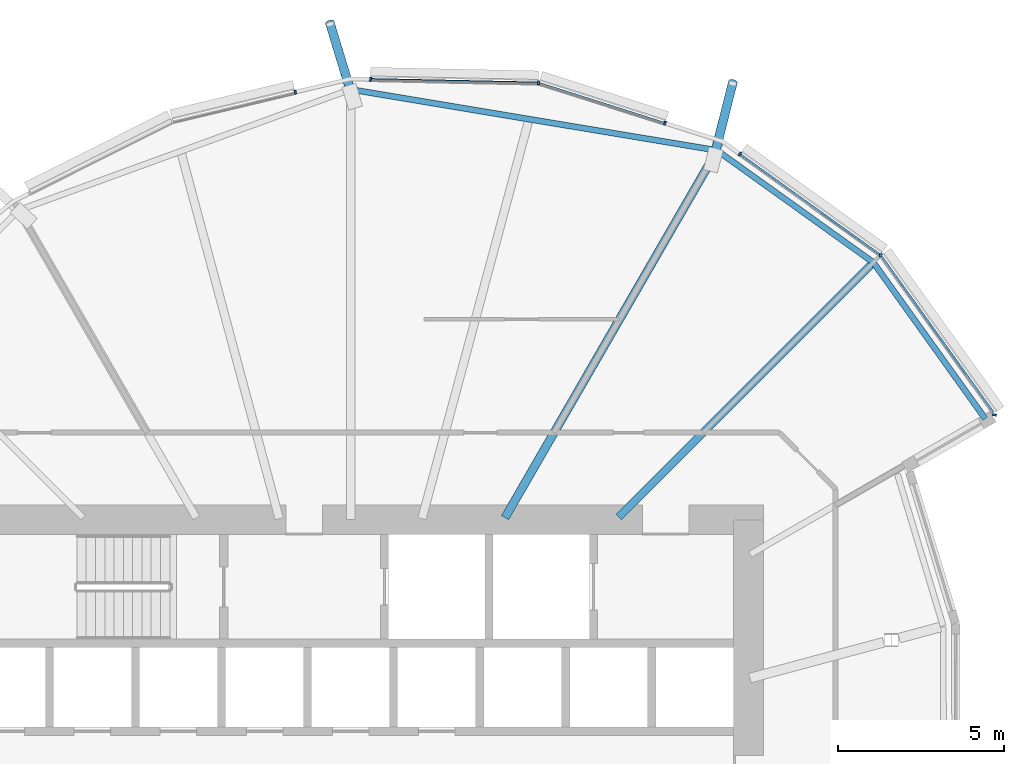
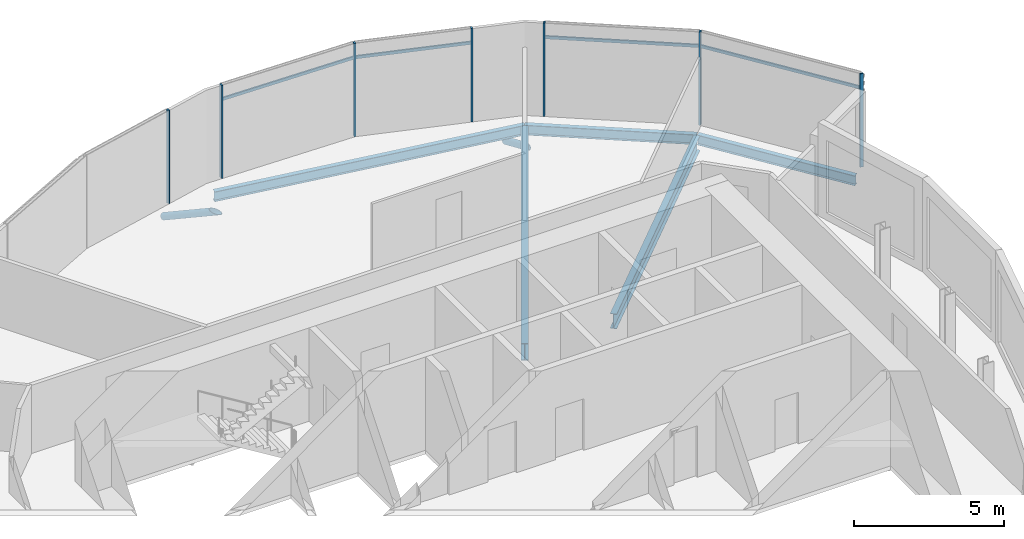
# One storey, part 18 of 37: 13 members, 5 beams, 1 element without a shape of its own.
"""IFC4 building model written with IfcOpenShell, lengths in metres."""

import ifcopenshell
import ifcopenshell.guid

model = None  # the IFC model being written
_history = None  # IfcOwnerHistory: only IFC2X3 demands one
_inside = {}  # id of a spatial element -> (the spatial element, [elements in it])
_under = {}  # id of a project, library or spatial element -> (it, [spatial elements below it])
_declared = {}  # id of a project -> (the project, [libraries it declares])
_typed = {}  # id of a type object -> (the type object, [elements of that type])
_made_of = {}  # id of a material, layer set ... -> (it, [elements and type objects made of it])


def new_model(schema):
    """Start an empty IFC model of exactly this schema.

    Asked for "IFC4X3", IfcOpenShell would pick the latest addendum, in which some entities
    have other attributes; the version numbers below select the first issue.
    IFC2X3 requires an IfcOwnerHistory on every rooted entity: one is made here for all.
    """
    global model, _history
    if schema == "IFC4X3":
        model = ifcopenshell.file(schema_version=(4, 3, 0, 0))
    else:
        model = ifcopenshell.file(schema=schema)
    _inside.clear()
    _under.clear()
    _declared.clear()
    _typed.clear()
    _made_of.clear()
    _history = None
    if model.schema == "IFC2X3":
        org = make("IfcOrganization", Name="unknown")
        user = make(
            "IfcPersonAndOrganization",
            ThePerson=make("IfcPerson", FamilyName="unknown"),
            TheOrganization=org,
        )
        app = make(
            "IfcApplication",
            ApplicationDeveloper=org,
            Version="unknown",
            ApplicationFullName="unknown",
            ApplicationIdentifier="unknown",
        )
        _history = make(
            "IfcOwnerHistory",
            OwningUser=user,
            OwningApplication=app,
            ChangeAction="ADDED",
            CreationDate=0,
        )
    return model


def make(cls, **values):
    """One entity of the class cls with the attributes given. An attribute that is None is left unset."""
    return model.create_entity(
        cls, **{name: value for name, value in values.items() if value is not None}
    )


def rooted(cls, **values):
    """An entity with a GlobalId (a new one), such as an element, a storey or a relation."""
    return make(cls, GlobalId=ifcopenshell.guid.new(), OwnerHistory=_history, **values)


def si_unit(unit_type, name, prefix=None):
    """IfcSIUnit, for example si_unit("LENGTHUNIT", "METRE", prefix="MILLI")."""
    return make("IfcSIUnit", UnitType=unit_type, Prefix=prefix, Name=name)


def assignment(units):
    """IfcUnitAssignment: the units of a project."""
    return None if units is None else make("IfcUnitAssignment", Units=units)


def point(xyz):
    """IfcCartesianPoint."""
    return None if xyz is None else make("IfcCartesianPoint", Coordinates=xyz)


def direction(xyz):
    """IfcDirection."""
    return None if xyz is None else make("IfcDirection", DirectionRatios=xyz)


def frame(location, z_axis=None, x_axis=None):
    """IfcAxis2Placement3D, a coordinate frame: its origin and axes. An axis left out is left unset."""
    return make(
        "IfcAxis2Placement3D",
        Location=point(location),
        Axis=direction(z_axis),
        RefDirection=direction(x_axis),
    )


def frame_2d(location, x_axis=None):
    """IfcAxis2Placement2D, a coordinate frame in the plane: its origin and x axis."""
    return make(
        "IfcAxis2Placement2D", Location=point(location), RefDirection=direction(x_axis)
    )


def origin():
    """The frame at (0, 0, 0) with its axes left unset."""
    return frame((0.0, 0.0, 0.0))


def origin_2d():
    """The frame at (0, 0) in the plane with its x axis left unset."""
    return frame_2d((0.0, 0.0))


def place(relative_to, where):
    """IfcLocalPlacement: puts the frame where relative to a parent placement (None: the world)."""
    return make(
        "IfcLocalPlacement", PlacementRelTo=relative_to, RelativePlacement=where
    )


def context(
    kind, dimensions, precision=None, world=None, true_north=None, identifier=None
):
    """IfcGeometricRepresentationContext, for example the 3D "Model" context."""
    return make(
        "IfcGeometricRepresentationContext",
        ContextIdentifier=identifier,
        ContextType=kind,
        CoordinateSpaceDimension=dimensions,
        Precision=precision,
        WorldCoordinateSystem=world,
        TrueNorth=true_north,
    )


def subcontext(parent, identifier, kind, view, scale=None):
    """IfcGeometricRepresentationSubContext, for example "Body" below "Model"."""
    return make(
        "IfcGeometricRepresentationSubContext",
        ContextIdentifier=identifier,
        ContextType=kind,
        ParentContext=parent,
        TargetScale=scale,
        TargetView=view,
    )


def project(units=None, contexts=None):
    """IfcProject with its units and contexts."""
    return rooted(
        "IfcProject",
        Name="project",
        RepresentationContexts=contexts,
        UnitsInContext=assignment(units),
    )


def spatial(cls, under=None, at=None, **own):
    """A site, building, storey or space (cls), placed at a placement, below another one or the project."""
    s = rooted(cls, ObjectPlacement=at, **own)
    if under is not None:
        _under.setdefault(under.id(), (under, []))[1].append(s)
    return s


def profile(cls, at=None, kind="AREA", **sizes):
    """A parametric profile (cls). Its sizes go by their IFC names, for example OverallWidth=200.0."""
    return make(cls, ProfileType=kind, Position=at, **sizes)


def rectangle(**sizes):
    """IfcRectangleProfileDef."""
    return profile("IfcRectangleProfileDef", **sizes)


def hollow_circle(**sizes):
    """IfcCircleHollowProfileDef."""
    return profile("IfcCircleHollowProfileDef", **sizes)


def i_section(**sizes):
    """IfcIShapeProfileDef."""
    return profile("IfcIShapeProfileDef", **sizes)


def extrude(swept, where, along, depth):
    """IfcExtrudedAreaSolid: the profile swept, set in the frame where, extruded along a direction by depth."""
    return make(
        "IfcExtrudedAreaSolid",
        SweptArea=swept,
        Position=where,
        ExtrudedDirection=direction(along),
        Depth=depth,
    )


def clip(a, b, op="DIFFERENCE"):
    """IfcBooleanClippingResult: the solid a cut by the half space b."""
    return make(
        "IfcBooleanClippingResult", Operator=op, FirstOperand=a, SecondOperand=b
    )


def halfspace(plane, agree):
    """IfcHalfSpaceSolid: all space on one side of the plane z = 0 of the frame plane."""
    return make(
        "IfcHalfSpaceSolid",
        BaseSurface=make("IfcPlane", Position=plane),
        AgreementFlag=agree,
    )


def shape(context_of_items, identifier, shape_type, items):
    """IfcShapeRepresentation: the items that make up one representation, for example the "Body"."""
    return make(
        "IfcShapeRepresentation",
        ContextOfItems=context_of_items,
        RepresentationIdentifier=identifier,
        RepresentationType=shape_type,
        Items=items,
    )


def material(Name=None, Category=None):
    """IfcMaterial."""
    return make("IfcMaterial", Name=Name, Category=Category)


def material_profile(
    of_material, cross_section, Name=None, Category=None, Priority=None
):
    """IfcMaterialProfile: a cross section and its material."""
    return make(
        "IfcMaterialProfile",
        Name=Name,
        Material=of_material,
        Profile=cross_section,
        Priority=Priority,
        Category=Category,
    )


def profile_set(profiles, Name=None, composite=None):
    """IfcMaterialProfileSet."""
    return make(
        "IfcMaterialProfileSet",
        Name=Name,
        MaterialProfiles=profiles,
        CompositeProfile=composite,
    )


def made_of(thing, what):
    """Note that an element or type object is made of a material, layer set ...; save() writes the relation."""
    if what is not None:
        _made_of.setdefault(what.id(), (what, []))[1].append(thing)
    return thing


def type_object(cls, material=None, **own):
    """A type object (cls), such as IfcWallType, which elements share."""
    return made_of(rooted(cls, **own), material)


def element(
    cls,
    number,
    at=None,
    inside=None,
    cuts=None,
    type_object=None,
    material=None,
    context=None,
    identifier="Body",
    shape_type=None,
    held_by="IfcProductDefinitionShape",
    body=None,
    shapes=None,
    **own,
):
    """One element of the class cls, such as IfcWall. Its Tag is "e" and its number.

    at: its placement. inside: the storey or other place that contains it. cuts: it is an
    opening in that element (IfcRelVoidsElement). A single representation is given by context,
    identifier, shape_type and body (its items); several are given by shapes. held_by: the class
    of the entity that holds the representations. save() writes the other relations.
    """
    e = rooted(cls, Tag="e%d" % number, ObjectPlacement=at, **own)
    if body is not None:
        shapes = [shape(context, identifier, shape_type, body)]
    if shapes is not None:
        e.Representation = make(held_by, Representations=shapes)
    if inside is not None:
        _inside.setdefault(inside.id(), (inside, []))[1].append(e)
    if cuts is not None:
        rooted(
            "IfcRelVoidsElement", RelatingBuildingElement=cuts, RelatedOpeningElement=e
        )
    if type_object is not None:
        _typed.setdefault(type_object.id(), (type_object, []))[1].append(e)
    return made_of(e, material)


def aggregate(whole, parts):
    """IfcRelAggregates: a whole, such as a stair, and the parts it consists of."""
    return rooted("IfcRelAggregates", RelatingObject=whole, RelatedObjects=parts)


def save(model, path):
    """Write the relations noted so far, then the file.

    IfcRelAggregates (storeys below a building ...), IfcRelContainedInSpatialStructure (elements
    in a storey), IfcRelDefinesByType, IfcRelAssociatesMaterial and IfcRelDeclares: one each for
    every whole, place, type object, material and project.
    """
    for whole, parts in _under.values():
        aggregate(whole, parts)
    for where, things in _inside.values():
        rooted(
            "IfcRelContainedInSpatialStructure",
            RelatedElements=things,
            RelatingStructure=where,
        )
    for kind, things in _typed.values():
        rooted("IfcRelDefinesByType", RelatedObjects=things, RelatingType=kind)
    for what, things in _made_of.values():
        rooted("IfcRelAssociatesMaterial", RelatedObjects=things, RelatingMaterial=what)
    for by, libraries in _declared.values():
        rooted("IfcRelDeclares", RelatingContext=by, RelatedDefinitions=libraries)
    model.write(path)


model = new_model("IFC4")

# Units and contexts
model_context = context("Model", 3, precision=1e-05, world=origin(), true_north=direction((0.0, 1.0)))
body_context = subcontext(model_context, "Body", "Model", "MODEL_VIEW")
ifc_project = project(units=[si_unit("LENGTHUNIT", "METRE"), si_unit("AREAUNIT", "SQUARE_METRE"), si_unit("VOLUMEUNIT", "CUBIC_METRE"), si_unit("PLANEANGLEUNIT", "RADIAN"), si_unit("MASSUNIT", "GRAM", prefix="KILO")], contexts=[model_context])

# Site, building, storey
site_placement = place(None, origin())
site = spatial("IfcSite", under=ifc_project, at=site_placement, CompositionType="ELEMENT")
building_placement = place(site_placement, origin())
building = spatial("IfcBuilding", under=site, at=building_placement, Name="Rimbun Link Towers", CompositionType="ELEMENT")
storey_placement = place(building_placement, frame((0.0, 0.0, 45.199951171875)))
storey = spatial("IfcBuildingStorey", under=building, at=storey_placement, Name="L10", CompositionType="ELEMENT", Elevation=45.199951171875)

# Curtain wall, members
ifc_material_1 = material(Name="Aluminium 6063-T6 and low-iron glass", Category="aluminium")
curtain_wall_type = type_object("IfcCurtainWallType", Name="CW1 unitised vision wall", PredefinedType="NOTDEFINED", material=ifc_material_1)
curtain_wall_placement = place(storey_placement, origin())
curtain_wall = element("IfcCurtainWall", 1, at=curtain_wall_placement, inside=storey, type_object=curtain_wall_type, Name="CW1 L10 T2", PredefinedType="NOTDEFINED")
ifc_material_2 = material(Name="Aluminium 6063-T6", Category="aluminium")
ifc_material_profile_1 = material_profile(ifc_material_2, rectangle(XDim=0.1201171875, YDim=0.06005859375, at=origin_2d()), Name="MULLION 60X120")
ifc_profile_set_1 = profile_set([ifc_material_profile_1], Name="Aluminium 6063-T6")
member_type_1 = type_object("IfcMemberType", Name="CW1 mullion 60X120", PredefinedType="MULLION", material=ifc_profile_set_1)
member_1_placement = place(storey_placement, frame((43.4892578125, 19.02734375, 0.0), z_axis=(0.0, 0.0, 1.0), x_axis=(0.582995512796, 0.812475373202, 0.0)))
member_1 = element("IfcMember", 2, at=member_1_placement, type_object=member_type_1, Name="CW1 mullion", PredefinedType="MULLION", context=body_context, shape_type="SweptSolid", body=[
    extrude(rectangle(XDim=0.1201171875, YDim=0.06005859375, at=origin_2d()), origin(), (0.0, 0.0, 1.0), 3.800048828125),
])
member_2_placement = place(storey_placement, frame((47.73193359375, 15.98193359375, 0.0), z_axis=(0.0, 0.0, 1.0), x_axis=(0.707106781187, 0.707106781187, 0.0)))
member_2 = element("IfcMember", 3, at=member_2_placement, type_object=member_type_1, Name="CW1 mullion", PredefinedType="MULLION", context=body_context, shape_type="SweptSolid", body=[
    extrude(rectangle(XDim=0.1201171875, YDim=0.06005859375, at=origin_2d()), origin(), (0.0, 0.0, 1.0), 3.800048828125),
])
member_3_placement = place(storey_placement, frame((37.4169921875, 21.171875, 0.0), z_axis=(0.0, 0.0, 1.0), x_axis=(0.163749935396, 0.986501879703, 0.0)))
member_3 = element("IfcMember", 4, at=member_3_placement, type_object=member_type_1, Name="CW1 mullion", PredefinedType="MULLION", context=body_context, shape_type="SweptSolid", body=[
    extrude(rectangle(XDim=0.1201171875, YDim=0.06005859375, at=origin_2d()), origin(), (0.0, 0.0, 1.0), 3.800048828125),
])
member_4_placement = place(storey_placement, frame((41.22900390625, 19.960205078125, 0.0), z_axis=(0.0, 0.0, 1.0), x_axis=(0.303071090127, 0.952967950316, 0.0)))
member_4 = element("IfcMember", 5, at=member_4_placement, type_object=member_type_1, Name="CW1 mullion", PredefinedType="MULLION", context=body_context, shape_type="SweptSolid", body=[
    extrude(rectangle(XDim=0.1201171875, YDim=0.06005859375, at=origin_2d()), origin(), (0.0, 0.0, 1.0), 3.800048828125),
])
member_5_placement = place(storey_placement, frame((32.35107421875, 21.279296875, 0.0), z_axis=(0.0, 0.0, 1.0), x_axis=(0.021066190713, 0.999778083181, 0.0)))
member_5 = element("IfcMember", 6, at=member_5_placement, type_object=member_type_1, Name="CW1 mullion", PredefinedType="MULLION", context=body_context, shape_type="SweptSolid", body=[
    extrude(rectangle(XDim=0.1201171875, YDim=0.06005859375, at=origin_2d()), origin(), (0.0, 0.0, 1.0), 3.800048828125),
])
member_6_placement = place(storey_placement, frame((30.082763671875, 20.894775390625, 0.0), z_axis=(0.0, 0.0, 1.0), x_axis=(-0.232609871785, 0.972570124746, 0.0)))
member_6 = element("IfcMember", 7, at=member_6_placement, type_object=member_type_1, Name="CW1 mullion", PredefinedType="MULLION", context=body_context, shape_type="SweptSolid", body=[
    extrude(rectangle(XDim=0.1201171875, YDim=0.06005859375, at=origin_2d()), origin(), (0.0, 0.0, 1.0), 3.800048828125),
])
member_7_placement = place(storey_placement, frame((51.166259765625, 11.163330078125, 0.0), z_axis=(0.0, 0.0, 1.0), x_axis=(0.977528822736, -0.210801804358, 0.0)))
member_7 = element("IfcMember", 8, at=member_7_placement, type_object=member_type_1, Name="CW1 mullion", PredefinedType="MULLION", context=body_context, shape_type="SweptSolid", body=[
    extrude(rectangle(XDim=0.1201171875, YDim=0.06005859375, at=origin_2d()), origin(), (0.0, 0.0, 1.0), 3.800048828125),
])
ifc_material_3 = material(Name="Aluminium 6063-T6", Category="aluminium")
ifc_material_profile_2 = material_profile(ifc_material_3, rectangle(XDim=0.06005859375, YDim=0.1201171875, at=origin_2d()), Name="TRANSOM 60X120")
ifc_profile_set_2 = profile_set([ifc_material_profile_2], Name="Aluminium 6063-T6")
member_type_2 = type_object("IfcMemberType", Name="CW1 transom 60X120", PredefinedType="USERDEFINED", material=ifc_profile_set_2)
member_8_placement = place(storey_placement, frame((43.512451171875, 19.00830078125, 3.199951171875), z_axis=(0.812467019799, -0.583007154107, 0.0), x_axis=(0.583007154107, 0.812467019799, 0.0)))
member_8 = element("IfcMember", 9, at=member_8_placement, type_object=member_type_2, Name="CW1 transom", ObjectType="TRANSOM", PredefinedType="USERDEFINED", context=body_context, shape_type="SweptSolid", body=[
    extrude(rectangle(XDim=0.06005859375, YDim=0.1201171875, at=origin_2d()), origin(), (0.0, 0.0, 1.0), 5.15283203125),
])
member_9_placement = place(storey_placement, frame((37.453369140625, 21.158935546875, 3.199951171875), z_axis=(0.952952690939, -0.303119067088, 0.0), x_axis=(0.303119067088, 0.952952690939, 0.0)))
member_9 = element("IfcMember", 10, at=member_9_placement, type_object=member_type_2, Name="CW1 transom", ObjectType="TRANSOM", PredefinedType="USERDEFINED", context=body_context, shape_type="SweptSolid", body=[
    extrude(rectangle(XDim=0.06005859375, YDim=0.1201171875, at=origin_2d()), origin(), (0.0, 0.0, 1.0), 3.931396484375),
])
member_10_placement = place(storey_placement, frame((32.381103515625, 21.276611328125, 3.199951171875), z_axis=(0.999778391248, -0.021051565129, 0.0), x_axis=(0.021051565129, 0.999778391248, 0.0)))
member_10 = element("IfcMember", 11, at=member_10_placement, type_object=member_type_2, Name="CW1 transom", ObjectType="TRANSOM", PredefinedType="USERDEFINED", context=body_context, shape_type="SweptSolid", body=[
    extrude(rectangle(XDim=0.06005859375, YDim=0.1201171875, at=origin_2d()), origin(), (0.0, 0.0, 1.0), 4.99853515625),
])
member_11_placement = place(storey_placement, frame((47.754150390625, 15.948974609375, 3.199951171875), z_axis=(0.583003884186, -0.812469366206, 0.0), x_axis=(0.812469366206, 0.583003884186, 0.0)))
member_11 = element("IfcMember", 12, at=member_11_placement, type_object=member_type_2, Name="CW1 transom", ObjectType="TRANSOM", PredefinedType="USERDEFINED", context=body_context, shape_type="SweptSolid", body=[
    extrude(rectangle(XDim=0.06005859375, YDim=0.1201171875, at=origin_2d()), origin(), (0.0, 0.0, 1.0), 5.802734375),
])
aggregate(curtain_wall, [member_1, member_2, member_3, member_4, member_5, member_6, member_7, member_8, member_9, member_10, member_11])

# Members
ifc_material_4 = material(Name="Steel S355J2H", Category="steel")
ifc_material_profile_3 = material_profile(ifc_material_4, hollow_circle(Radius=0.136474609375, WallThickness=0.012451171875, at=origin_2d()), Name="CHS 273x12.5")
ifc_profile_set_3 = profile_set([ifc_material_profile_3], Name="Steel S355J2H")
member_type_3 = type_object("IfcMemberType", Name="Floor edge link CHS 273x12.5", PredefinedType="BRACE", material=ifc_profile_set_3)
member_12_placement = place(storey_placement, frame((42.727783203125, 19.014404296875, -0.961181640625), z_axis=(0.211200311478, 0.83863617711, -0.502079466693), x_axis=(-0.969721713734, 0.244212608014, 0.0)))
element("IfcMember", 13, at=member_12_placement, inside=storey, type_object=member_type_3, Name="Floor edge link T2 L10 01", PredefinedType="BRACE", context=body_context, shape_type="Clipping", body=[
    clip(extrude(hollow_circle(Radius=0.136474609375, WallThickness=0.012451171875, at=origin_2d()), frame((0.0, 0.0, -0.490234375)), (0.0, 0.0, 1.0), 3.10400390625), halfspace(frame((0.0, 0.0, -0.23046875), z_axis=(0.0, 0.864821489746, -0.502079466693)), False)),
])
member_13_placement = place(storey_placement, frame((31.75, 20.9248046875, -0.962158203125), z_axis=(-0.252942587007, 0.834021588443, -0.490334618082), x_axis=(-0.956957894762, -0.290226786587, 0.0)))
element("IfcMember", 14, at=member_13_placement, inside=storey, type_object=member_type_3, Name="Floor edge link T2 L10 03", PredefinedType="BRACE", context=body_context, shape_type="Clipping", body=[
    clip(extrude(hollow_circle(Radius=0.136474609375, WallThickness=0.012451171875, at=origin_2d()), frame((0.0, 0.0, -0.505615234375)), (0.0, 0.0, 1.0), 2.986083984375), halfspace(frame((0.0, 0.0, -0.238037109375), z_axis=(0.0, 0.871534257681, -0.490334618082)), False)),
])

# Beams
ifc_material_5 = material(Name="Steel S355J2", Category="steel")
ifc_material_profile_4 = material_profile(ifc_material_5, i_section(OverallWidth=0.177978515625, OverallDepth=0.406494140625, WebThickness=0.0078125, FlangeThickness=0.0126953125, at=origin_2d()), Name="UB 406x178x60")
ifc_profile_set_4 = profile_set([ifc_material_profile_4], Name="Steel S355J2")
beam_type_1 = type_object("IfcBeamType", Name="UB 406x178x60", PredefinedType="BEAM", material=ifc_profile_set_4)
beam_1_placement = place(storey_placement, frame((47.49755859375, 15.76953125, -0.363037109375), z_axis=(-0.812956437558, 0.582324506296, 0.0), x_axis=(-0.582324506296, -0.812956437558, 0.0)))
element("IfcBeam", 15, at=beam_1_placement, inside=storey, type_object=beam_type_1, Name="Edge beam T2 L10 00", PredefinedType="BEAM", context=body_context, shape_type="SweptSolid", body=[
    extrude(i_section(OverallWidth=0.177978515625, OverallDepth=0.406494140625, WebThickness=0.0078125, FlangeThickness=0.0126953125, at=origin_2d()), origin(), (0.0, 0.0, 1.0), 5.77978515625),
])
beam_2_placement = place(storey_placement, frame((42.797119140625, 19.135986328125, -0.363037109375), z_axis=(-0.986427283882, 0.164198701617, 0.0), x_axis=(-0.164198701617, -0.986427283882, 0.0)))
element("IfcBeam", 16, at=beam_2_placement, inside=storey, type_object=beam_type_1, Name="Edge beam T2 L10 01-03", PredefinedType="BEAM", context=body_context, shape_type="SweptSolid", body=[
    extrude(i_section(OverallWidth=0.177978515625, OverallDepth=0.406494140625, WebThickness=0.0078125, FlangeThickness=0.0126953125, at=origin_2d()), origin(), (0.0, 0.0, 1.0), 11.069580078125),
])
beam_3_placement = place(storey_placement, frame((50.88525390625, 11.048828125, -0.363037109375), z_axis=(-0.582324506296, 0.812956437558, 0.0), x_axis=(-0.812956437558, -0.582324506296, 0.0)))
element("IfcBeam", 17, at=beam_3_placement, inside=storey, type_object=beam_type_1, Name="Edge beam T2 L10 23", PredefinedType="BEAM", context=body_context, shape_type="SweptSolid", body=[
    extrude(i_section(OverallWidth=0.177978515625, OverallDepth=0.406494140625, WebThickness=0.0078125, FlangeThickness=0.0126953125, at=origin_2d()), origin(), (0.0, 0.0, 1.0), 5.77978515625),
])
ifc_material_6 = material(Name="Steel S355J2", Category="steel")
ifc_material_profile_5 = material_profile(ifc_material_6, i_section(OverallWidth=0.2275390625, OverallDepth=0.6025390625, WebThickness=0.010498046875, FlangeThickness=0.014892578125, at=origin_2d()), Name="UB 610x229x101")
ifc_profile_set_5 = profile_set([ifc_material_profile_5], Name="Steel S355J2")
beam_type_2 = type_object("IfcBeamType", Name="UB 610x229x101", PredefinedType="BEAM", material=ifc_profile_set_5)
beam_4_placement = place(storey_placement, frame((39.831298828125, 8.081298828125, -0.461181640625), z_axis=(0.707106781187, 0.707106781187, 0.0), x_axis=(-0.707106781187, 0.707106781187, 0.0)))
element("IfcBeam", 18, at=beam_4_placement, inside=storey, type_object=beam_type_2, Name="Radial beam T2 L10 00", PredefinedType="BEAM", context=body_context, shape_type="SweptSolid", body=[
    extrude(i_section(OverallWidth=0.2275390625, OverallDepth=0.6025390625, WebThickness=0.010498046875, FlangeThickness=0.014892578125, at=origin_2d()), origin(), (0.0, 0.0, 1.0), 10.77001953125),
])
ifc_material_7 = material(Name="Steel S355J2", Category="steel")
ifc_material_profile_6 = material_profile(ifc_material_7, i_section(OverallWidth=0.253662109375, OverallDepth=0.68359375, WebThickness=0.012451171875, FlangeThickness=0.01904296875, at=origin_2d()), Name="UB 686x254x140")
ifc_profile_set_6 = profile_set([ifc_material_profile_6], Name="Steel S355J2")
beam_type_3 = type_object("IfcBeamType", Name="UB 686x254x140", PredefinedType="BEAM", material=ifc_profile_set_6)
beam_5_placement = place(storey_placement, frame((36.406005859375, 8.064208984375, -0.501708984375), z_axis=(0.49999271168, 0.866029611657, 0.0), x_axis=(-0.866029611657, 0.49999271168, 0.0)))
element("IfcBeam", 19, at=beam_5_placement, inside=storey, type_object=beam_type_3, Name="Radial beam T2 L10 01", PredefinedType="BEAM", context=body_context, shape_type="SweptSolid", body=[
    extrude(i_section(OverallWidth=0.253662109375, OverallDepth=0.68359375, WebThickness=0.012451171875, FlangeThickness=0.01904296875, at=origin_2d()), origin(), (0.0, 0.0, 1.0), 12.694091796875),
])

save(model, "model.ifc")
